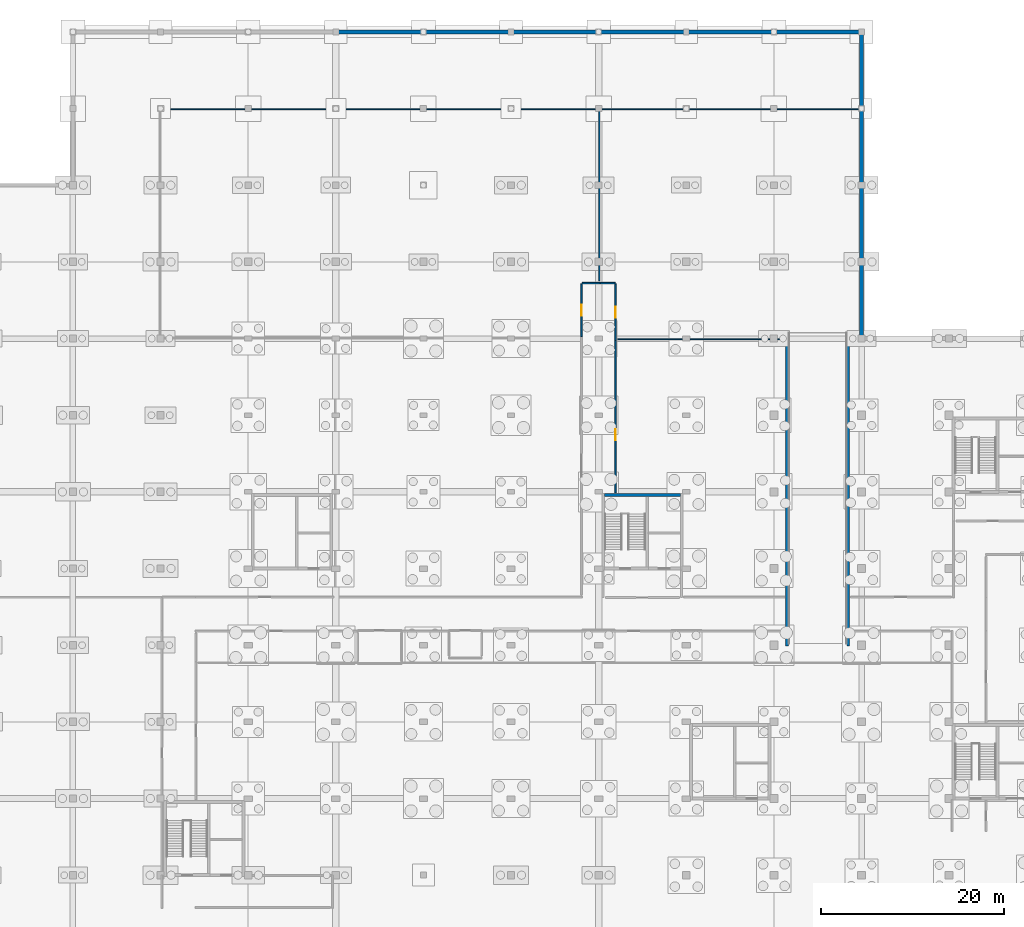
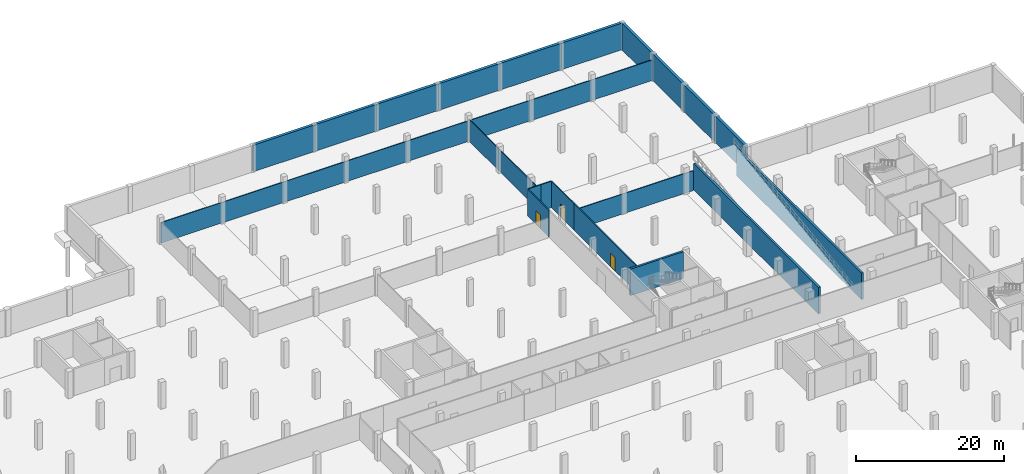
# One storey, part 22 of 26: 22 walls, 3 doors, 3 openings.
"""IFC4 building model written with IfcOpenShell, lengths in metres."""

from ifc_helpers import new_model, si_unit, direction, frame, frame_2d, origin, place, context, subcontext, project, spatial, rectangle, extrude, material, layer, layer_set, type_object, element, fill, save


model = new_model("IFC4")

# Units and contexts
model_context = context("Model", 3, precision=1e-05, world=origin(), true_north=direction((0.0, 1.0)))
body_context = subcontext(model_context, "Body", "Model", "MODEL_VIEW")
ifc_project = project(units=[si_unit("LENGTHUNIT", "METRE"), si_unit("AREAUNIT", "SQUARE_METRE"), si_unit("VOLUMEUNIT", "CUBIC_METRE"), si_unit("PLANEANGLEUNIT", "RADIAN"), si_unit("MASSUNIT", "GRAM", prefix="KILO")], contexts=[model_context])

# Site, building, storey
site_placement = place(None, origin())
site = spatial("IfcSite", under=ifc_project, at=site_placement, CompositionType="ELEMENT")
building_placement = place(site_placement, origin())
building = spatial("IfcBuilding", under=site, at=building_placement, Name="Lornevale Opera House", CompositionType="ELEMENT")
storey_placement = place(building_placement, frame((0.0, 0.0, -9.60009765625)))
storey = spatial("IfcBuildingStorey", under=building, at=storey_placement, Name="B2", CompositionType="ELEMENT", Elevation=-9.60009765625)

# Walls
ifc_material_1 = material(Name="Concrete 40 MPa (CSA A23.1 C-1)", Category="concrete")
ifc_layer_1 = layer(ifc_material_1, 0.419921875)
ifc_layer_set_1 = layer_set([ifc_layer_1], Name="Concrete 40 MPa (CSA A23.1 C-1)")
wall_type_1 = type_object("IfcWallType", Name="Basement Retaining Wall 420", PredefinedType="USERDEFINED", material=ifc_layer_set_1)
wall_1_placement = place(storey_placement, frame((67.199951171875, 117.60009765625, 0.0), z_axis=(0.0, 0.0, 1.0), x_axis=(1.0, 0.0, 0.0)))
element("IfcWall", 1, at=wall_1_placement, inside=storey, type_object=wall_type_1, Name="Basement Escarpment Plinth Wall WL-EXT-0030", ObjectType="RETAINING WALL", PredefinedType="USERDEFINED", context=body_context, shape_type="SweptSolid", body=[
    extrude(rectangle(XDim=9.60009765625, YDim=0.419921875, at=frame_2d((4.800048828125, 0.0))), origin(), (0.0, 0.0, 1.0), 4.380126953125),
])
wall_2_placement = place(storey_placement, frame((76.800048828125, 117.60009765625, 0.0), z_axis=(0.0, 0.0, 1.0), x_axis=(1.0, 0.0, 0.0)))
element("IfcWall", 2, at=wall_2_placement, inside=storey, type_object=wall_type_1, Name="Basement Escarpment Plinth Wall WL-EXT-0032", ObjectType="RETAINING WALL", PredefinedType="USERDEFINED", context=body_context, shape_type="SweptSolid", body=[
    extrude(rectangle(XDim=9.599853515625, YDim=0.419921875, at=frame_2d((4.7998046875, 0.0))), origin(), (0.0, 0.0, 1.0), 4.380126953125),
])
for number, where, z_axis, x_axis, name in (
    (3, (86.39990234375, 117.60009765625, 0.0), (0.0, 0.0, 1.0), (1.0, 0.0, 0.0), "Basement Escarpment Plinth Wall WL-EXT-0034"),
    (4, (96.0, 117.60009765625, 0.0), (0.0, 0.0, 1.0), (1.0, 0.0, 0.0), "Basement Escarpment Plinth Wall WL-EXT-0036"),
):
    element("IfcWall", number, at=place(storey_placement, frame(where, z_axis=z_axis, x_axis=x_axis)), inside=storey, type_object=wall_type_1, Name=name, ObjectType="RETAINING WALL", PredefinedType="USERDEFINED", context=body_context, shape_type="SweptSolid", body=[
        extrude(rectangle(XDim=9.60009765625, YDim=0.419921875, at=frame_2d((4.800048828125, 0.0))), origin(), (0.0, 0.0, 1.0), 4.380126953125),
    ])
wall_3_placement = place(storey_placement, frame((105.60009765625, 117.60009765625, 0.0), z_axis=(0.0, 0.0, 1.0), x_axis=(1.0, 0.0, 0.0)))
element("IfcWall", 5, at=wall_3_placement, inside=storey, type_object=wall_type_1, Name="Basement Escarpment Plinth Wall WL-EXT-0038", ObjectType="RETAINING WALL", PredefinedType="USERDEFINED", context=body_context, shape_type="SweptSolid", body=[
    extrude(rectangle(XDim=9.599853515625, YDim=0.419921875, at=frame_2d((4.7998046875, 0.0))), origin(), (0.0, 0.0, 1.0), 4.380126953125),
])
wall_4_placement = place(storey_placement, frame((124.800048828125, 92.39990234375, 0.0), z_axis=(0.0, 0.0, 1.0), x_axis=(0.0, -1.0, 0.0)))
element("IfcWall", 6, at=wall_4_placement, inside=storey, type_object=wall_type_1, Name="Basement Escarpment Plinth Wall WL-EXT-0041", ObjectType="RETAINING WALL", PredefinedType="USERDEFINED", context=body_context, shape_type="SweptSolid", body=[
    extrude(rectangle(XDim=8.39990234375, YDim=0.419921875, at=frame_2d((4.199951171875, 0.0))), origin(), (0.0, 0.0, 1.0), 4.380126953125),
])
wall_5_placement = place(storey_placement, frame((124.800048828125, 100.800048828125, 0.0), z_axis=(0.0, 0.0, 1.0), x_axis=(0.0, -1.0, 0.0)))
element("IfcWall", 7, at=wall_5_placement, inside=storey, type_object=wall_type_1, Name="Basement Escarpment Plinth Wall WL-EXT-0042", ObjectType="RETAINING WALL", PredefinedType="USERDEFINED", context=body_context, shape_type="SweptSolid", body=[
    extrude(rectangle(XDim=8.400146484375, YDim=0.419921875, at=frame_2d((4.2001953125, 0.0))), origin(), (0.0, 0.0, 1.0), 4.380126953125),
])
wall_6_placement = place(storey_placement, frame((124.800048828125, 109.199951171875, 0.0), z_axis=(0.0, 0.0, 1.0), x_axis=(0.0, -1.0, 0.0)))
element("IfcWall", 8, at=wall_6_placement, inside=storey, type_object=wall_type_1, Name="Basement Escarpment Plinth Wall WL-EXT-0043", ObjectType="RETAINING WALL", PredefinedType="USERDEFINED", context=body_context, shape_type="SweptSolid", body=[
    extrude(rectangle(XDim=8.39990234375, YDim=0.419921875, at=frame_2d((4.199951171875, 0.0))), origin(), (0.0, 0.0, 1.0), 4.380126953125),
])
wall_7_placement = place(storey_placement, frame((115.199951171875, 117.60009765625, 0.0), z_axis=(0.0, 0.0, 1.0), x_axis=(1.0, 0.0, 0.0)))
element("IfcWall", 9, at=wall_7_placement, inside=storey, type_object=wall_type_1, Name="Basement Escarpment Plinth Wall WL-EXT-0044", ObjectType="RETAINING WALL", PredefinedType="USERDEFINED", context=body_context, shape_type="SweptSolid", body=[
    extrude(rectangle(XDim=9.60009765625, YDim=0.419921875, at=frame_2d((4.800048828125, 0.0))), origin(), (0.0, 0.0, 1.0), 4.380126953125),
])
wall_8_placement = place(storey_placement, frame((124.800048828125, 117.60009765625, 0.0), z_axis=(0.0, 0.0, 1.0), x_axis=(0.0, -1.0, 0.0)))
element("IfcWall", 10, at=wall_8_placement, inside=storey, type_object=wall_type_1, Name="Basement Escarpment Plinth Wall WL-EXT-0045", ObjectType="RETAINING WALL", PredefinedType="USERDEFINED", context=body_context, shape_type="SweptSolid", body=[
    extrude(rectangle(XDim=8.400146484375, YDim=0.419921875, at=frame_2d((4.2001953125, 0.0))), origin(), (0.0, 0.0, 1.0), 4.380126953125),
])
ifc_layer_2 = layer(ifc_material_1, 0.320068359375)
ifc_layer_set_2 = layer_set([ifc_layer_2], Name="Concrete 40 MPa (CSA A23.1 C-1)")
wall_type_2 = type_object("IfcWallType", Name="Core Shear Wall 320", PredefinedType="SHEAR", material=ifc_layer_set_2)
wall_9_placement = place(storey_placement, frame((104.93994140625, 66.840087890625, 0.0), z_axis=(0.0, 0.0, 1.0), x_axis=(-1.0, 0.0, 0.0)))
element("IfcWall", 11, at=wall_9_placement, inside=storey, type_object=wall_type_2, Name="Stagehouse Firefighter Core West Core Shear Wall 320 WL-COR-0199", PredefinedType="SHEAR", context=body_context, shape_type="SweptSolid", body=[
    extrude(rectangle(XDim=8.280029296875, YDim=0.320068359375, at=frame_2d((4.14013671875, 0.0))), origin(), (0.0, 0.0, 1.0), 4.380126953125),
])
for number, where, z_axis, x_axis, name in (
    (12, (116.64990234375, 50.300048828125, 0.0), (0.0, 0.0, 1.0), (0.0, 1.0, 0.0), "Vehicle Ramp Shaft Wall B2 0359"),
    (13, (123.35009765625, 50.300048828125, 0.0), (0.0, 0.0, 1.0), (0.0, 1.0, 0.0), "Vehicle Ramp Shaft Wall B2 0360"),
):
    element("IfcWall", number, at=place(storey_placement, frame(where, z_axis=z_axis, x_axis=x_axis)), inside=storey, type_object=wall_type_2, Name=name, PredefinedType="SHEAR", context=body_context, shape_type="SweptSolid", body=[
        extrude(rectangle(XDim=33.699951171875, YDim=0.320068359375, at=frame_2d((16.85009765625, 0.0))), origin(), (0.0, 0.0, 1.0), 4.380126953125),
    ])

# Wall, opening, door
ifc_material_2 = material(Name="Acoustic Mineral-Core Gypsum Partition", Category="gypsum")
ifc_layer_3 = layer(ifc_material_2, 0.1650390625)
ifc_layer_set_3 = layer_set([ifc_layer_3], Name="Acoustic Mineral-Core Gypsum Partition")
wall_type_3 = type_object("IfcWallType", Name="Corridor Rated Partition 165", PredefinedType="PARTITIONING", material=ifc_layer_set_3)
wall_10_placement = place(storey_placement, frame((94.139892578125, 84.199951171875, 0.0), z_axis=(0.0, 0.0, 1.0), x_axis=(0.0, 1.0, 0.0)))
wall_10 = element("IfcWall", 14, at=wall_10_placement, inside=storey, type_object=wall_type_3, Name="B2 Partition WL-INT-0526", PredefinedType="PARTITIONING", context=body_context, shape_type="SweptSolid", body=[
    extrude(rectangle(XDim=5.800048828125, YDim=0.1650390625, at=frame_2d((2.89990234375, 0.0))), origin(), (0.0, 0.0, 1.0), 4.35009765625),
])
opening_1_placement = place(wall_10_placement, frame((2.300048828125, 0.0, 0.0)))
opening_1 = element("IfcOpeningElement", 15, at=opening_1_placement, cuts=wall_10, Name="Opening DR-T24", PredefinedType="OPENING", context=body_context, shape_type="SweptSolid", body=[
    extrude(rectangle(XDim=1.199951171875, YDim=2.199951171875, at=frame_2d((0.60009765625, 1.10009765625))), frame((0.0, 0.092529296875, 0.0), z_axis=(0.0, -1.0, 0.0), x_axis=(1.0, 0.0, 0.0)), (0.0, 0.0, 1.0), 0.18505859375),
])
ifc_material_3 = material(Name="Painted Hollow Metal Door Steel", Category="steel")
ifc_layer_4 = layer(ifc_material_3, 2.199951171875)
ifc_layer_set_4 = layer_set([ifc_layer_4], Name="Painted Hollow Metal Door Steel")
door_type = type_object("IfcDoorType", Name="Plant Room Rated Door R 1200x2200", OperationType="NOTDEFINED", PredefinedType="DOOR", material=ifc_layer_set_4)
door_1_placement = place(opening_1_placement, origin())
door_1 = element("IfcDoor", 16, at=door_1_placement, inside=storey, type_object=door_type, Name="Central Chiller & Heat-Recovery Plant Door", OperationType="SINGLE_SWING_RIGHT", OverallHeight=2.199951171875, OverallWidth=1.199951171875, PredefinedType="DOOR", context=body_context, shape_type="SweptSolid", body=[
    extrude(rectangle(XDim=1.199951171875, YDim=2.199951171875, at=frame_2d((0.60009765625, 1.10009765625))), frame((0.0, 0.02490234375, 0.0), z_axis=(0.0, -1.0, 0.0), x_axis=(1.0, 0.0, 0.0)), (0.0, 0.0, 1.0), 0.050048828125),
])
fill(opening_1, door_1)

# Walls
wall_11_placement = place(storey_placement, frame((94.199951171875, 90.06005859375, 0.0), z_axis=(0.0, 0.0, 1.0), x_axis=(1.0, 0.0, 0.0)))
element("IfcWall", 17, at=wall_11_placement, inside=storey, type_object=wall_type_3, Name="B2 Partition WL-INT-0527", PredefinedType="PARTITIONING", context=body_context, shape_type="SweptSolid", body=[
    extrude(rectangle(XDim=2.0, YDim=0.1650390625, at=frame_2d((1.0, 0.0))), origin(), (0.0, 0.0, 1.0), 4.35009765625),
])
wall_12_placement = place(storey_placement, frame((96.199951171875, 90.06005859375, 0.0), z_axis=(0.0, 0.0, 1.0), x_axis=(1.0, 0.0, 0.0)))
element("IfcWall", 18, at=wall_12_placement, inside=storey, type_object=wall_type_3, Name="B2 Partition WL-INT-0528", PredefinedType="PARTITIONING", context=body_context, shape_type="SweptSolid", body=[
    extrude(rectangle(XDim=1.60009765625, YDim=0.1650390625, at=frame_2d((0.800048828125, 0.0))), origin(), (0.0, 0.0, 1.0), 4.35009765625),
])

# Wall, opening, door
wall_13_placement = place(storey_placement, frame((97.860107421875, 83.800048828125, 0.0), z_axis=(0.0, 0.0, 1.0), x_axis=(0.0, 1.0, 0.0)))
wall_13 = element("IfcWall", 19, at=wall_13_placement, inside=storey, type_object=wall_type_3, Name="B2 Partition WL-INT-0529", PredefinedType="PARTITIONING", context=body_context, shape_type="SweptSolid", body=[
    extrude(rectangle(XDim=6.199951171875, YDim=0.1650390625, at=frame_2d((3.10009765625, 0.0))), origin(), (0.0, 0.0, 1.0), 4.35009765625),
])
opening_2_placement = place(wall_13_placement, frame((2.5, 0.0, 0.0)))
opening_2 = element("IfcOpeningElement", 20, at=opening_2_placement, cuts=wall_13, Name="Opening DR-T24", PredefinedType="OPENING", context=body_context, shape_type="SweptSolid", body=[
    extrude(rectangle(XDim=1.199951171875, YDim=2.199951171875, at=frame_2d((0.60009765625, 1.10009765625))), frame((0.0, 0.092529296875, 0.0), z_axis=(0.0, -1.0, 0.0), x_axis=(1.0, 0.0, 0.0)), (0.0, 0.0, 1.0), 0.18505859375),
])
door_2_placement = place(opening_2_placement, origin())
door_2 = element("IfcDoor", 21, at=door_2_placement, inside=storey, type_object=door_type, Name="Primary Electrical Substation Vault Door", OperationType="SINGLE_SWING_RIGHT", OverallHeight=2.199951171875, OverallWidth=1.199951171875, PredefinedType="DOOR", context=body_context, shape_type="SweptSolid", body=[
    extrude(rectangle(XDim=1.199951171875, YDim=2.199951171875, at=frame_2d((0.60009765625, 1.10009765625))), frame((0.0, 0.02490234375, 0.0), z_axis=(0.0, -1.0, 0.0), x_axis=(1.0, 0.0, 0.0)), (0.0, 0.0, 1.0), 0.050048828125),
])
fill(opening_2, door_2)

wall_14_placement = place(storey_placement, frame((97.860107421875, 67.090087890625, 0.0), z_axis=(0.0, 0.0, 1.0), x_axis=(0.0, 1.0, 0.0)))
wall_14 = element("IfcWall", 22, at=wall_14_placement, inside=storey, type_object=wall_type_3, Name="B2 Partition WL-INT-0539", PredefinedType="PARTITIONING", context=body_context, shape_type="SweptSolid", body=[
    extrude(rectangle(XDim=16.7099609375, YDim=0.1650390625, at=frame_2d((8.35498046875, 0.0))), origin(), (0.0, 0.0, 1.0), 4.35009765625),
])
opening_3_placement = place(wall_14_placement, frame((5.75, 0.0, 0.0)))
opening_3 = element("IfcOpeningElement", 23, at=opening_3_placement, cuts=wall_14, Name="Opening DR-T24", PredefinedType="OPENING", context=body_context, shape_type="SweptSolid", body=[
    extrude(rectangle(XDim=1.199951171875, YDim=2.199951171875, at=frame_2d((0.60009765625, 1.10009765625))), frame((0.0, 0.092529296875, 0.0), z_axis=(0.0, -1.0, 0.0), x_axis=(1.0, 0.0, 0.0)), (0.0, 0.0, 1.0), 0.18505859375),
])
door_3_placement = place(opening_3_placement, origin())
door_3 = element("IfcDoor", 24, at=door_3_placement, inside=storey, type_object=door_type, Name="Mechanical Acoustic Plenum Plant Door", OperationType="SINGLE_SWING_RIGHT", OverallHeight=2.199951171875, OverallWidth=1.199951171875, PredefinedType="DOOR", context=body_context, shape_type="SweptSolid", body=[
    extrude(rectangle(XDim=1.199951171875, YDim=2.199951171875, at=frame_2d((0.60009765625, 1.10009765625))), frame((0.0, 0.02490234375, 0.0), z_axis=(0.0, -1.0, 0.0), x_axis=(1.0, 0.0, 0.0)), (0.0, 0.0, 1.0), 0.050048828125),
])
fill(opening_3, door_3)

# Walls
ifc_layer_5 = layer(ifc_material_2, 0.125)
ifc_layer_set_5 = layer_set([ifc_layer_5], Name="Acoustic Mineral-Core Gypsum Partition")
wall_type_4 = type_object("IfcWallType", Name="Dressing Suite Partition 125", PredefinedType="PARTITIONING", material=ifc_layer_set_5)
wall_15_placement = place(storey_placement, frame((96.06005859375, 90.31005859375, 0.0), z_axis=(0.0, 0.0, 1.0), x_axis=(0.0, 1.0, 0.0)))
element("IfcWall", 25, at=wall_15_placement, inside=storey, type_object=wall_type_4, Name="B2 Partition WL-INT-0560", PredefinedType="PARTITIONING", context=body_context, shape_type="SweptSolid", body=[
    extrude(rectangle(XDim=18.889892578125, YDim=0.125, at=frame_2d((9.44482421875, 0.0))), origin(), (0.0, 0.0, 1.0), 3.580078125),
])
wall_16_placement = place(storey_placement, frame((48.0, 109.139892578125, 0.0), z_axis=(0.0, 0.0, 1.0), x_axis=(1.0, 0.0, 0.0)))
element("IfcWall", 26, at=wall_16_placement, inside=storey, type_object=wall_type_4, Name="B2 Partition WL-INT-0561", PredefinedType="PARTITIONING", context=body_context, shape_type="SweptSolid", body=[
    extrude(rectangle(XDim=47.81005859375, YDim=0.125, at=frame_2d((23.905029296875, 0.0))), origin(), (0.0, 0.0, 1.0), 3.380126953125),
])
wall_17_placement = place(storey_placement, frame((96.31005859375, 109.139892578125, 0.0), z_axis=(0.0, 0.0, 1.0), x_axis=(1.0, 0.0, 0.0)))
element("IfcWall", 27, at=wall_17_placement, inside=storey, type_object=wall_type_4, Name="B2 Partition WL-INT-0564", PredefinedType="PARTITIONING", context=body_context, shape_type="SweptSolid", body=[
    extrude(rectangle(XDim=28.239990234375, YDim=0.125, at=frame_2d((14.1201171875, 0.0))), origin(), (0.0, 0.0, 1.0), 3.380126953125),
])
wall_18_placement = place(storey_placement, frame((98.110107421875, 83.93994140625, 0.0), z_axis=(0.0, 0.0, 1.0), x_axis=(1.0, 0.0, 0.0)))
element("IfcWall", 28, at=wall_18_placement, inside=storey, type_object=wall_type_4, Name="B2 Partition WL-INT-0565", PredefinedType="PARTITIONING", context=body_context, shape_type="SweptSolid", body=[
    extrude(rectangle(XDim=18.289794921875, YDim=0.125, at=frame_2d((9.14501953125, 0.0))), origin(), (0.0, 0.0, 1.0), 3.280029296875),
])

save(model, "model.ifc")
